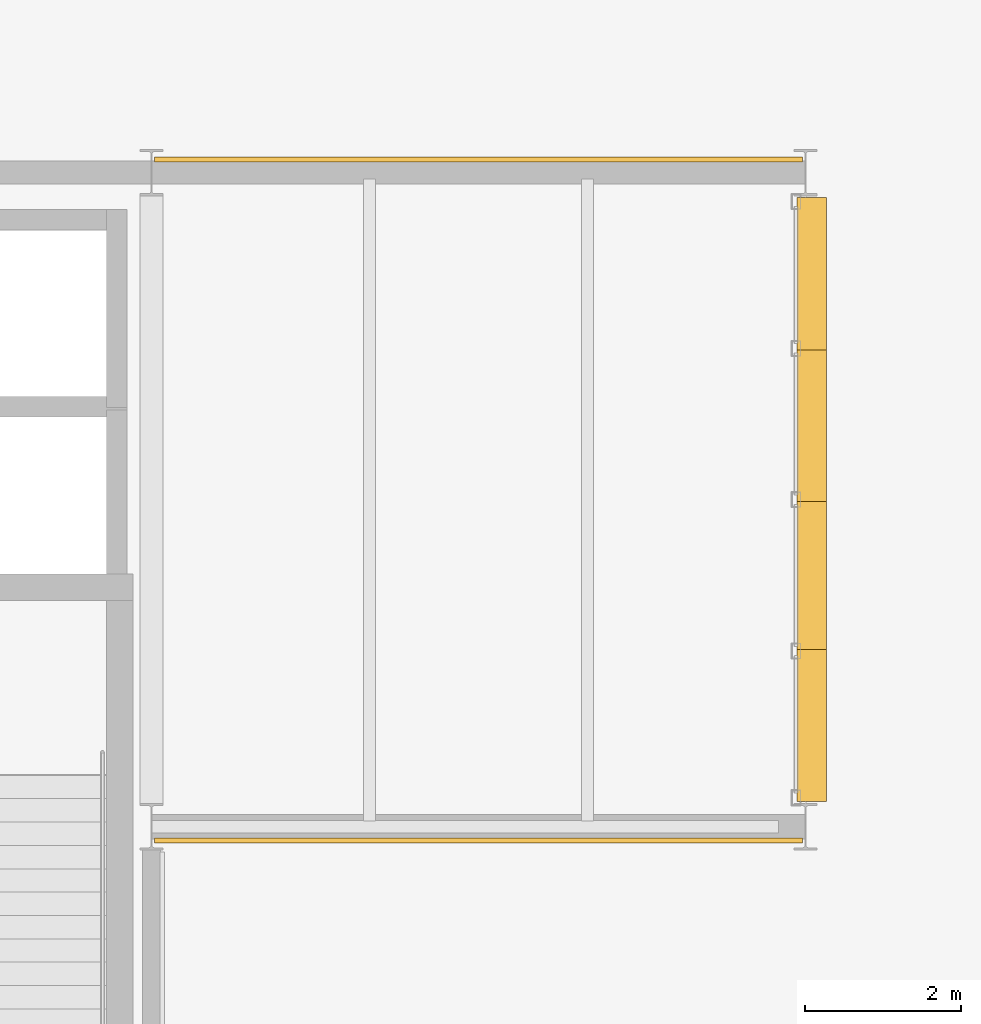
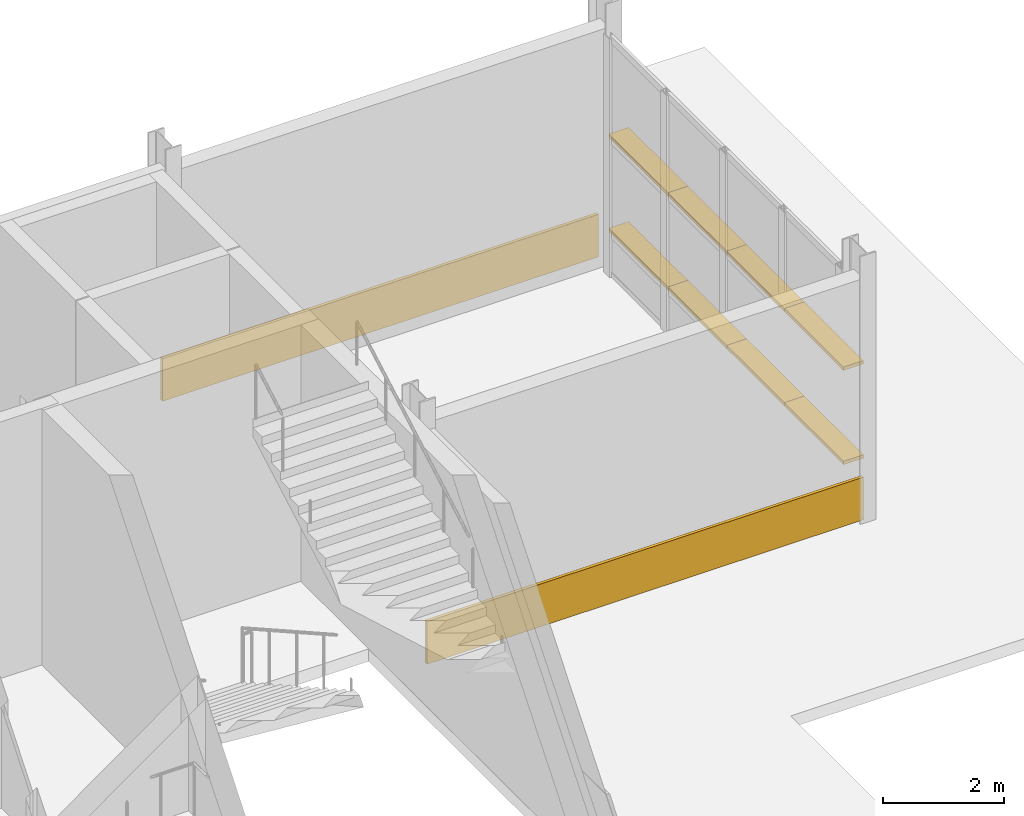
# One storey, part 123 of 124: 8 shading devices, 2 coverings.
"""IFC4 building model written with IfcOpenShell, lengths in metres."""

from ifc_helpers import new_model, si_unit, direction, frame, origin, origin_2d, place, context, subcontext, project, spatial, rectangle, extrude, material, layer, layer_set, type_object, element, save


model = new_model("IFC4")

# Units and contexts
model_context = context("Model", 3, precision=1e-05, world=origin(), true_north=direction((0.0, 1.0)))
body_context = subcontext(model_context, "Body", "Model", "MODEL_VIEW")
ifc_project = project(units=[si_unit("LENGTHUNIT", "METRE"), si_unit("AREAUNIT", "SQUARE_METRE"), si_unit("VOLUMEUNIT", "CUBIC_METRE"), si_unit("PLANEANGLEUNIT", "RADIAN"), si_unit("MASSUNIT", "GRAM", prefix="KILO")], contexts=[model_context])

# Site, building, storey
site_placement = place(None, origin())
site = spatial("IfcSite", under=ifc_project, at=site_placement, CompositionType="ELEMENT")
building_placement = place(site_placement, origin())
building = spatial("IfcBuilding", under=site, at=building_placement, Name="Mersafa Astral City Hall", CompositionType="ELEMENT")
storey_placement = place(building_placement, origin())
storey = spatial("IfcBuildingStorey", under=building, at=storey_placement, Name="L00", CompositionType="ELEMENT", Elevation=0.0)

# Coverings
ifc_material_1 = material(Name="Cairo Mokattam buff limestone cladding", Category="masonry")
ifc_layer = layer(ifc_material_1, 0.06005859375, Name="Cairo Mokattam buff limestone cladding")
ifc_layer_set = layer_set([ifc_layer], Name="Cairo Mokattam buff limestone cladding — ENV-COV-LIMESTONE-60")
covering_type = type_object("IfcCoveringType", Name="ENV-COV-LIMESTONE-60", PredefinedType="CLADDING", material=ifc_layer_set)
for number, where, z_axis, x_axis, name in (
    (1, (180.60009765625, 117.423095703125, 0.0), (0.0, 0.0, 1.0), (1.0, 0.0, 0.0), "L00 Cairo buff limestone rainscreen cladding 31"),
    (2, (180.60009765625, 126.16943359375, 0.0), (0.0, 0.0, 1.0), (-1.0, 0.0, 0.0), "L00 Cairo buff limestone rainscreen cladding 32"),
):
    element("IfcCovering", number, at=place(storey_placement, frame(where, z_axis=z_axis, x_axis=x_axis)), inside=storey, type_object=covering_type, Name=name, PredefinedType="CLADDING", context=body_context, shape_type="SweptSolid", body=[
        extrude(rectangle(XDim=8.323974609375, YDim=0.06005859375, at=origin_2d()), origin(), (0.0, 0.0, 1.0), 0.860107421875),
    ])

# Shading devices
ifc_material_2 = material(Name="Kiln-dried cedar timber brise-soleil blade", Category="wood")
shading_device_type = type_object("IfcShadingDeviceType", Name="ENV-SHD-LOUVRE-380", PredefinedType="JALOUSIE", material=ifc_material_2)
shading_device_1_placement = place(storey_placement, frame((184.8798828125, 118.89892578125, 0.81494140625), z_axis=(0.0, 0.0, 1.0), x_axis=(0.0, 1.0, 0.0)))
element("IfcShadingDevice", 3, at=shading_device_1_placement, inside=storey, type_object=shading_device_type, Name="L00 Horizontal cedar brise-soleil louvre 198", PredefinedType="JALOUSIE", context=body_context, shape_type="SweptSolid", body=[
    extrude(rectangle(XDim=1.9541015625, YDim=0.3798828125, at=origin_2d()), origin(), (0.0, 0.0, 1.0), 0.070068359375),
])
for number, where, z_axis, x_axis, name in (
    (4, (184.8798828125, 120.827880859375, 0.81494140625), (0.0, 0.0, 1.0), (0.0, 1.0, 0.0), "L00 Horizontal cedar brise-soleil louvre 199"),
    (5, (184.8798828125, 122.77197265625, 0.81494140625), (0.0, 0.0, 1.0), (0.0, 1.0, 0.0), "L00 Horizontal cedar brise-soleil louvre 200"),
):
    element("IfcShadingDevice", number, at=place(storey_placement, frame(where, z_axis=z_axis, x_axis=x_axis)), inside=storey, type_object=shading_device_type, Name=name, PredefinedType="JALOUSIE", context=body_context, shape_type="SweptSolid", body=[
        extrude(rectangle(XDim=1.98388671875, YDim=0.3798828125, at=origin_2d()), origin(), (0.0, 0.0, 1.0), 0.070068359375),
    ])
for number, where, z_axis, x_axis, name in (
    (6, (184.8798828125, 124.700927734375, 0.81494140625), (0.0, 0.0, 1.0), (0.0, 1.0, 0.0), "L00 Horizontal cedar brise-soleil louvre 201"),
    (7, (184.8798828125, 118.89892578125, 2.71484375), (0.0, 0.0, 1.0), (0.0, 1.0, 0.0), "L00 Horizontal cedar brise-soleil louvre 202"),
):
    element("IfcShadingDevice", number, at=place(storey_placement, frame(where, z_axis=z_axis, x_axis=x_axis)), inside=storey, type_object=shading_device_type, Name=name, PredefinedType="JALOUSIE", context=body_context, shape_type="SweptSolid", body=[
        extrude(rectangle(XDim=1.9541015625, YDim=0.3798828125, at=origin_2d()), origin(), (0.0, 0.0, 1.0), 0.070068359375),
    ])
for number, where, z_axis, x_axis, name in (
    (8, (184.8798828125, 120.827880859375, 2.71484375), (0.0, 0.0, 1.0), (0.0, 1.0, 0.0), "L00 Horizontal cedar brise-soleil louvre 203"),
    (9, (184.8798828125, 122.77197265625, 2.71484375), (0.0, 0.0, 1.0), (0.0, 1.0, 0.0), "L00 Horizontal cedar brise-soleil louvre 204"),
):
    element("IfcShadingDevice", number, at=place(storey_placement, frame(where, z_axis=z_axis, x_axis=x_axis)), inside=storey, type_object=shading_device_type, Name=name, PredefinedType="JALOUSIE", context=body_context, shape_type="SweptSolid", body=[
        extrude(rectangle(XDim=1.98388671875, YDim=0.3798828125, at=origin_2d()), origin(), (0.0, 0.0, 1.0), 0.070068359375),
    ])
shading_device_2_placement = place(storey_placement, frame((184.8798828125, 124.700927734375, 2.71484375), z_axis=(0.0, 0.0, 1.0), x_axis=(0.0, 1.0, 0.0)))
element("IfcShadingDevice", 10, at=shading_device_2_placement, inside=storey, type_object=shading_device_type, Name="L00 Horizontal cedar brise-soleil louvre 205", PredefinedType="JALOUSIE", context=body_context, shape_type="SweptSolid", body=[
    extrude(rectangle(XDim=1.9541015625, YDim=0.3798828125, at=origin_2d()), origin(), (0.0, 0.0, 1.0), 0.070068359375),
])

save(model, "model.ifc")
